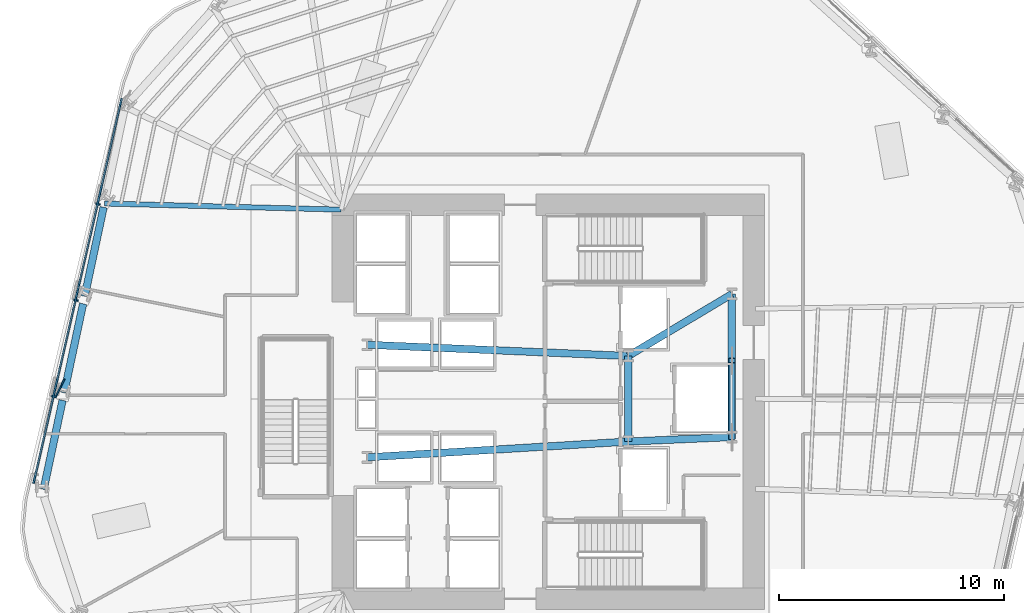
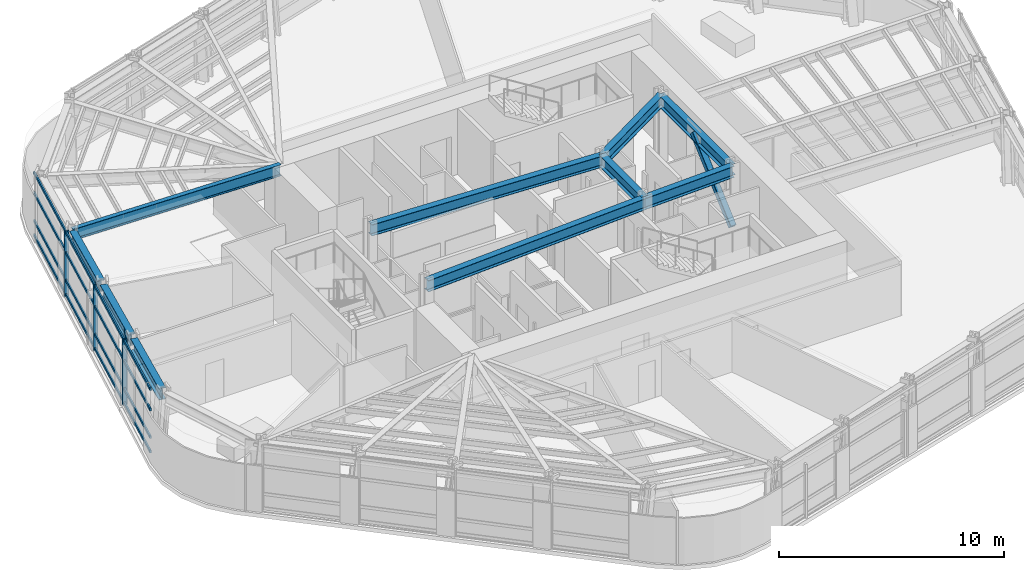
# One storey, part 4 of 16: 10 beams, 9 members, 1 element without a shape of its own.
"""IFC4 building model written with IfcOpenShell, lengths in metres."""

from ifc_helpers import new_model, si_unit, direction, frame, origin, origin_2d, place, context, subcontext, project, spatial, rectangle, hollow_rectangle, i_section, extrude, material, layer, layer_set, material_profile, profile_set, type_object, element, aggregate, save


model = new_model("IFC4")

# Units and contexts
model_context = context("Model", 3, precision=1e-05, world=origin(), true_north=direction((0.0, 1.0)))
body_context = subcontext(model_context, "Body", "Model", "MODEL_VIEW")
ifc_project = project(units=[si_unit("LENGTHUNIT", "METRE"), si_unit("AREAUNIT", "SQUARE_METRE"), si_unit("VOLUMEUNIT", "CUBIC_METRE"), si_unit("PLANEANGLEUNIT", "RADIAN"), si_unit("MASSUNIT", "GRAM", prefix="KILO")], contexts=[model_context])

# Site, building, storey
site_placement = place(None, origin())
site = spatial("IfcSite", under=ifc_project, at=site_placement, CompositionType="ELEMENT")
building_placement = place(site_placement, origin())
building = spatial("IfcBuilding", under=site, at=building_placement, Name="Valkerne Bourse Tower", CompositionType="ELEMENT")
storey_placement = place(building_placement, frame((0.0, 0.0, 97.199951171875)))
storey = spatial("IfcBuildingStorey", under=building, at=storey_placement, Name="L24", CompositionType="ELEMENT", Elevation=97.199951171875)

# Beams
ifc_material_1 = material(Name="Steel ASTM A992", Category="steel")
ifc_material_profile_1 = material_profile(ifc_material_1, i_section(OverallWidth=0.3251953125, OverallDepth=0.612060546875, WebThickness=0.0126953125, FlangeThickness=0.01904296875, FilletRadius=0.020263671875, at=origin_2d()), Name="W24X104")
ifc_profile_set_1 = profile_set([ifc_material_profile_1], Name="Steel ASTM A992")
beam_type_1 = type_object("IfcBeamType", Name="BM-W24X104", PredefinedType="BEAM", material=ifc_profile_set_1)
beam_1_placement = place(storey_placement, frame((50.35009765625, 25.10009765625, 3.274169921875), z_axis=(0.0, 1.0, 0.0), x_axis=(-1.0, 0.0, 0.0)))
element("IfcBeam", 1, at=beam_1_placement, inside=storey, type_object=beam_type_1, Name="L24 Core Frame Girder CG-CE", PredefinedType="BEAM", context=body_context, shape_type="SweptSolid", body=[
    extrude(i_section(OverallWidth=0.3251953125, OverallDepth=0.612060546875, WebThickness=0.0126953125, FlangeThickness=0.01904296875, FilletRadius=0.020263671875, at=origin_2d()), origin(), (0.0, 0.0, 1.0), 3.7998046875),
])
beam_2_placement = place(storey_placement, frame((50.35009765625, 25.10009765625, 3.274169921875), z_axis=(0.999056558506, 0.043428019819, 0.0), x_axis=(-0.043428019819, 0.999056558506, 0.0)))
element("IfcBeam", 2, at=beam_2_placement, inside=storey, type_object=beam_type_1, Name="L24 Core Frame Girder CG-SE", PredefinedType="BEAM", context=body_context, shape_type="SweptSolid", body=[
    extrude(i_section(OverallWidth=0.3251953125, OverallDepth=0.612060546875, WebThickness=0.0126953125, FlangeThickness=0.01904296875, FilletRadius=0.020263671875, at=origin_2d()), origin(), (0.0, 0.0, 1.0), 4.604248046875),
])
beam_3_placement = place(storey_placement, frame((50.35009765625, 28.89990234375, 3.274169921875), z_axis=(0.858307823492, 0.513135148019, 0.0), x_axis=(-0.513135148019, 0.858307823492, 0.0)))
element("IfcBeam", 3, at=beam_3_placement, inside=storey, type_object=beam_type_1, Name="L24 Core Frame Girder CG-NE", PredefinedType="BEAM", context=body_context, shape_type="SweptSolid", body=[
    extrude(i_section(OverallWidth=0.3251953125, OverallDepth=0.612060546875, WebThickness=0.0126953125, FlangeThickness=0.01904296875, FilletRadius=0.020263671875, at=origin_2d()), origin(), (0.0, 0.0, 1.0), 5.359130859375),
])
beam_4_placement = place(storey_placement, frame((54.949951171875, 25.300048828125, 3.274169921875), z_axis=(0.0, 1.0, 0.0), x_axis=(-1.0, 0.0, 0.0)))
element("IfcBeam", 4, at=beam_4_placement, inside=storey, type_object=beam_type_1, Name="L24 Core Frame Girder CG-EE", PredefinedType="BEAM", context=body_context, shape_type="SweptSolid", body=[
    extrude(i_section(OverallWidth=0.3251953125, OverallDepth=0.612060546875, WebThickness=0.0126953125, FlangeThickness=0.01904296875, FilletRadius=0.020263671875, at=origin_2d()), origin(), (0.0, 0.0, 1.0), 6.349853515625),
])
beam_5_placement = place(storey_placement, frame((38.75, 24.39990234375, 3.274169921875), z_axis=(0.998183228389, 0.060251494276, 0.0), x_axis=(-0.060251494276, 0.998183228389, 0.0)))
element("IfcBeam", 5, at=beam_5_placement, inside=storey, type_object=beam_type_1, Name="L24 Core Frame Girder CG-SW", PredefinedType="BEAM", context=body_context, shape_type="SweptSolid", body=[
    extrude(i_section(OverallWidth=0.3251953125, OverallDepth=0.612060546875, WebThickness=0.0126953125, FlangeThickness=0.01904296875, FilletRadius=0.020263671875, at=origin_2d()), origin(), (0.0, 0.0, 1.0), 11.62109375),
])
beam_6_placement = place(storey_placement, frame((38.75, 29.39990234375, 3.274169921875), z_axis=(0.999072354402, -0.043063101019, 0.0), x_axis=(0.043063101019, 0.999072354402, 0.0)))
element("IfcBeam", 6, at=beam_6_placement, inside=storey, type_object=beam_type_1, Name="L24 Core Frame Girder CG-NW", PredefinedType="BEAM", context=body_context, shape_type="SweptSolid", body=[
    extrude(i_section(OverallWidth=0.3251953125, OverallDepth=0.612060546875, WebThickness=0.0126953125, FlangeThickness=0.01904296875, FilletRadius=0.020263671875, at=origin_2d()), origin(), (0.0, 0.0, 1.0), 11.61083984375),
])
ifc_material_profile_2 = material_profile(ifc_material_1, i_section(OverallWidth=0.330078125, OverallDepth=0.647705078125, WebThickness=0.0205078125, FlangeThickness=0.037109375, FilletRadius=0.020263671875, at=origin_2d()), Name="W24X192")
ifc_profile_set_2 = profile_set([ifc_material_profile_2], Name="Steel ASTM A992")
beam_type_2 = type_object("IfcBeamType", Name="BM-W24X192", PredefinedType="SPANDREL", material=ifc_profile_set_2)
for number, where, z_axis, x_axis, name in (
    (7, (27.049072265625, 35.50537109375, 3.25634765625), (-0.207912200064, -0.97814749249, 0.0), (0.97814749249, -0.207912200064, 0.0), "L24 Hexagonal Spandrel Ring Beam 11"),
    (8, (26.1376953125, 31.218017578125, 3.25634765625), (-0.207912200064, -0.97814749249, 0.0), (0.97814749249, -0.207912200064, 0.0), "L24 Hexagonal Spandrel Ring Beam 12"),
    (9, (25.2265625, 26.930908203125, 3.25634765625), (-0.207969975531, -0.978135210121, 0.0), (0.978135210121, -0.207969975531, 0.0), "L24 Hexagonal Spandrel Ring Beam 13"),
):
    element("IfcBeam", number, at=place(storey_placement, frame(where, z_axis=z_axis, x_axis=x_axis)), inside=storey, type_object=beam_type_2, Name=name, PredefinedType="SPANDREL", context=body_context, shape_type="SweptSolid", body=[
        extrude(i_section(OverallWidth=0.330078125, OverallDepth=0.647705078125, WebThickness=0.0205078125, FlangeThickness=0.037109375, FilletRadius=0.020263671875, at=origin_2d()), origin(), (0.0, 0.0, 1.0), 4.04296875),
    ])
ifc_material_profile_3 = material_profile(ifc_material_1, i_section(OverallWidth=0.228271484375, OverallDepth=0.607177734375, WebThickness=0.01123046875, FlangeThickness=0.017333984375, FilletRadius=0.017822265625, at=origin_2d()), Name="W24X76")
ifc_profile_set_3 = profile_set([ifc_material_profile_3], Name="Steel ASTM A992")
beam_type_3 = type_object("IfcBeamType", Name="BM-W24X76", PredefinedType="JOIST", material=ifc_profile_set_3)
beam_7_placement = place(storey_placement, frame((27.08447265625, 35.671630859375, 3.2763671875), z_axis=(0.999666302595, -0.025831830302, 0.0), x_axis=(0.025831830302, 0.999666302595, 0.0)))
element("IfcBeam", 10, at=beam_7_placement, inside=storey, type_object=beam_type_3, Name="L24 Radial Composite Floor Beam 11", PredefinedType="JOIST", context=body_context, shape_type="SweptSolid", body=[
    extrude(i_section(OverallWidth=0.228271484375, OverallDepth=0.607177734375, WebThickness=0.01123046875, FlangeThickness=0.017333984375, FilletRadius=0.017822265625, at=origin_2d()), origin(), (0.0, 0.0, 1.0), 10.51904296875),
])

# Curtain wall, members
ifc_material_2 = material(Name="Aluminium AA 6063-T6", Category="aluminium")
ifc_layer = layer(ifc_material_2, 0.22998046875)
ifc_layer_set = layer_set([ifc_layer], Name="Aluminium AA 6063-T6")
curtain_wall_type = type_object("IfcCurtainWallType", Name="CW-02", PredefinedType="NOTDEFINED", material=ifc_layer_set)
curtain_wall_placement = place(storey_placement, origin())
curtain_wall = element("IfcCurtainWall", 11, at=curtain_wall_placement, inside=storey, type_object=curtain_wall_type, Name="L24 Hexagonal Stick Curtain Wall Face 3", PredefinedType="NOTDEFINED")
ifc_material_profile_4 = material_profile(ifc_material_2, rectangle(XDim=0.074951171875, YDim=0.199951171875, at=origin_2d()), Name="CWM-75X200")
ifc_profile_set_4 = profile_set([ifc_material_profile_4], Name="Aluminium AA 6063-T6")
member_type_1 = type_object("IfcMemberType", Name="CW-MUL-220X75", PredefinedType="MULLION", material=ifc_profile_set_4)
member_1_placement = place(storey_placement, frame((26.7978515625, 35.646728515625, 0.0), z_axis=(0.0, 0.0, 1.0), x_axis=(-0.22324789938, -0.974761701865, 0.0)))
member_1 = element("IfcMember", 12, at=member_1_placement, type_object=member_type_1, Name="CW-L24-F3 Jamb Mullion 01A", PredefinedType="MULLION", context=body_context, shape_type="SweptSolid", body=[
    extrude(rectangle(XDim=0.074951171875, YDim=0.199951171875, at=origin_2d()), origin(), (0.0, 0.0, 1.0), 3.580078125),
])
member_2_placement = place(storey_placement, frame((25.8193359375, 31.374267578125, 0.0), z_axis=(0.0, 0.0, 1.0), x_axis=(-0.223252864393, -0.974760564724, 0.0)))
member_2 = element("IfcMember", 13, at=member_2_placement, type_object=member_type_1, Name="CW-L24-F3 Jamb Mullion 02A", PredefinedType="MULLION", context=body_context, shape_type="SweptSolid", body=[
    extrude(rectangle(XDim=0.074951171875, YDim=0.199951171875, at=origin_2d()), origin(), (0.0, 0.0, 1.0), 3.580078125),
])
member_3_placement = place(storey_placement, frame((24.8408203125, 27.10205078125, 0.0), z_axis=(0.0, 0.0, 1.0), x_axis=(-0.22324789938, -0.974761701865, 0.0)))
member_3 = element("IfcMember", 14, at=member_3_placement, type_object=member_type_1, Name="CW-L24-F3 Jamb Mullion 03A", PredefinedType="MULLION", context=body_context, shape_type="SweptSolid", body=[
    extrude(rectangle(XDim=0.074951171875, YDim=0.199951171875, at=origin_2d()), origin(), (0.0, 0.0, 1.0), 3.580078125),
])
ifc_material_profile_5 = material_profile(ifc_material_2, rectangle(XDim=0.074951171875, YDim=0.14990234375, at=origin_2d()), Name="CWT-75X150")
ifc_profile_set_5 = profile_set([ifc_material_profile_5], Name="Aluminium AA 6063-T6")
member_type_2 = type_object("IfcMemberType", Name="CW-TRN-180X65", PredefinedType="USERDEFINED", material=ifc_profile_set_5)
member_4_placement = place(storey_placement, frame((27.8505859375, 40.3330078125, 0.1201171875), z_axis=(-0.223251291437, -0.974760924982, 0.0), x_axis=(0.974760924982, -0.223251291437, 0.0)))
member_4 = element("IfcMember", 15, at=member_4_placement, type_object=member_type_2, Name="CW-L24-F3 Continuous Face Transom 1", ObjectType="TRANSOM", PredefinedType="USERDEFINED", context=body_context, shape_type="SweptSolid", body=[
    extrude(rectangle(XDim=0.074951171875, YDim=0.14990234375, at=origin_2d()), origin(), (0.0, 0.0, 1.0), 17.531982421875),
])
member_5_placement = place(storey_placement, frame((27.8505859375, 40.3330078125, 0.900146484375), z_axis=(-0.223251291437, -0.974760924982, 0.0), x_axis=(0.974760924982, -0.223251291437, 0.0)))
member_5 = element("IfcMember", 16, at=member_5_placement, type_object=member_type_2, Name="CW-L24-F3 Continuous Face Transom 2", ObjectType="TRANSOM", PredefinedType="USERDEFINED", context=body_context, shape_type="SweptSolid", body=[
    extrude(rectangle(XDim=0.074951171875, YDim=0.14990234375, at=origin_2d()), origin(), (0.0, 0.0, 1.0), 17.531982421875),
])
member_6_placement = place(storey_placement, frame((27.8505859375, 40.3330078125, 2.400146484375), z_axis=(-0.223251291437, -0.974760924982, 0.0), x_axis=(0.974760924982, -0.223251291437, 0.0)))
member_6 = element("IfcMember", 17, at=member_6_placement, type_object=member_type_2, Name="CW-L24-F3 Continuous Face Transom 3", ObjectType="TRANSOM", PredefinedType="USERDEFINED", context=body_context, shape_type="SweptSolid", body=[
    extrude(rectangle(XDim=0.074951171875, YDim=0.14990234375, at=origin_2d()), origin(), (0.0, 0.0, 1.0), 17.531982421875),
])
member_7_placement = place(storey_placement, frame((27.8505859375, 40.3330078125, 3.5), z_axis=(-0.223251291437, -0.974760924982, 0.0), x_axis=(0.974760924982, -0.223251291437, 0.0)))
member_7 = element("IfcMember", 18, at=member_7_placement, type_object=member_type_2, Name="CW-L24-F3 Continuous Face Transom 4", ObjectType="TRANSOM", PredefinedType="USERDEFINED", context=body_context, shape_type="SweptSolid", body=[
    extrude(rectangle(XDim=0.074951171875, YDim=0.14990234375, at=origin_2d()), origin(), (0.0, 0.0, 1.0), 17.531982421875),
])
aggregate(curtain_wall, [member_4, member_5, member_6, member_7, member_1, member_2, member_3])

# Members
ifc_material_3 = material(Name="Bronze Anodised Aluminium AA 6063-T6", Category="aluminium")
ifc_material_profile_6 = material_profile(ifc_material_3, rectangle(XDim=0.070068359375, YDim=0.89990234375, at=origin_2d()), Name="FIN-70X900")
ifc_profile_set_6 = profile_set([ifc_material_profile_6], Name="Bronze Anodised Aluminium AA 6063-T6")
member_type_3 = type_object("IfcMemberType", Name="FIN-SOLAR-900", PredefinedType="USERDEFINED", material=ifc_profile_set_6)
member_8_placement = place(storey_placement, frame((25.110107421875, 27.47119140625, 0.004150390625), z_axis=(0.0, 0.0, 1.0), x_axis=(-0.900490693256, 0.434875282535, 0.0)))
element("IfcMember", 19, at=member_8_placement, inside=storey, type_object=member_type_3, Name="L24 Bronze Anodised Solar Fin F3-03", ObjectType="SOLAR_FIN", PredefinedType="USERDEFINED", context=body_context, shape_type="SweptSolid", body=[
    extrude(rectangle(XDim=0.070068359375, YDim=0.89990234375, at=origin_2d()), origin(), (0.0, 0.0, 1.0), 3.57177734375),
])
ifc_material_4 = material(Name="Steel ASTM A500 Grade C", Category="steel")
ifc_material_profile_7 = material_profile(ifc_material_4, hollow_rectangle(XDim=0.300048828125, YDim=0.300048828125, WallThickness=0.012451171875, OuterFilletRadius=0.02490234375, at=origin_2d()), Name="HSS300X300X12.5")
ifc_profile_set_7 = profile_set([ifc_material_profile_7], Name="Steel ASTM A500 Grade C")
member_type_4 = type_object("IfcMemberType", Name="MBR-HSS300X300X12.5", PredefinedType="STRUT", material=ifc_profile_set_7)
member_9_placement = place(storey_placement, frame((54.949951171875, 25.300048828125, 0.219970703125), z_axis=(0.0, 0.743915376654, 0.668273830385), x_axis=(-1.0, 0.0, 0.0)))
element("IfcMember", 20, at=member_9_placement, inside=storey, type_object=member_type_4, Name="L24 Core Service Pier Lateral Brace", PredefinedType="STRUT", context=body_context, shape_type="SweptSolid", body=[
    extrude(hollow_rectangle(XDim=0.300048828125, YDim=0.300048828125, WallThickness=0.012451171875, OuterFilletRadius=0.02490234375, at=origin_2d()), origin(), (0.0, 0.0, 1.0), 4.5703125),
])

save(model, "model.ifc")
